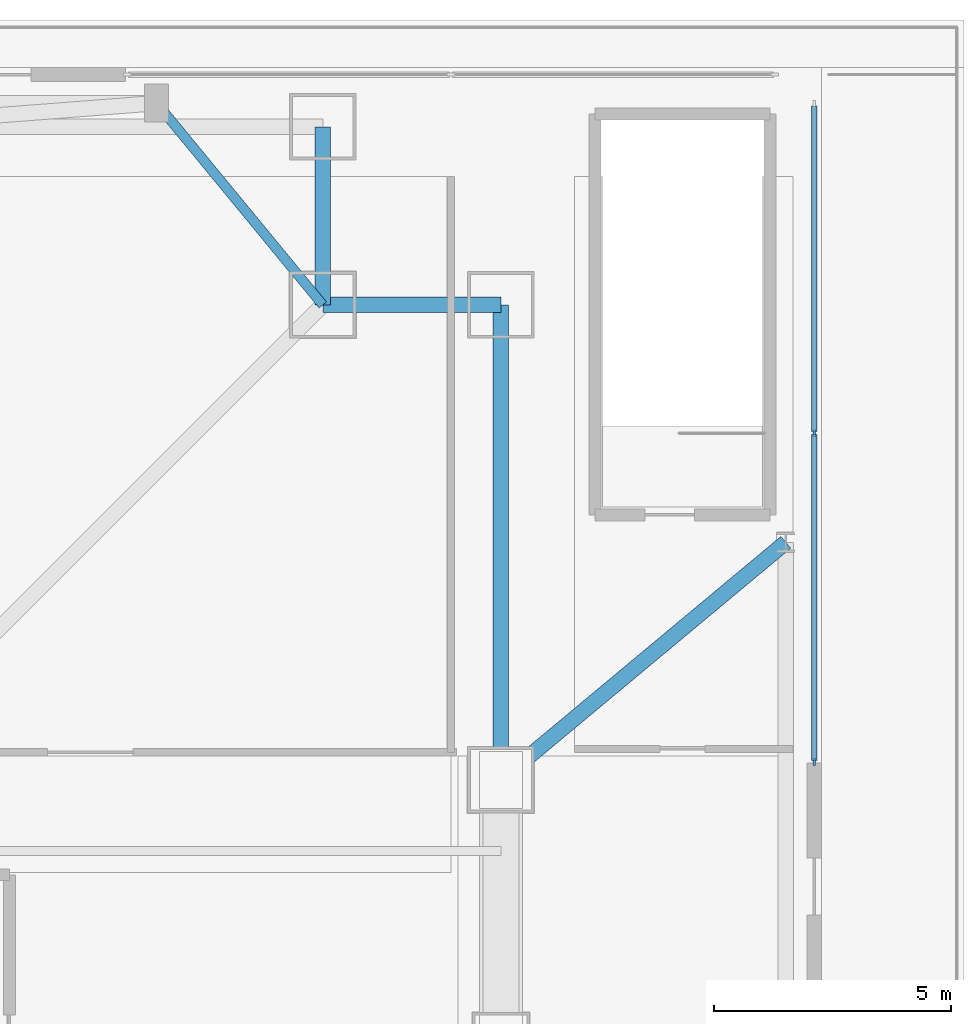
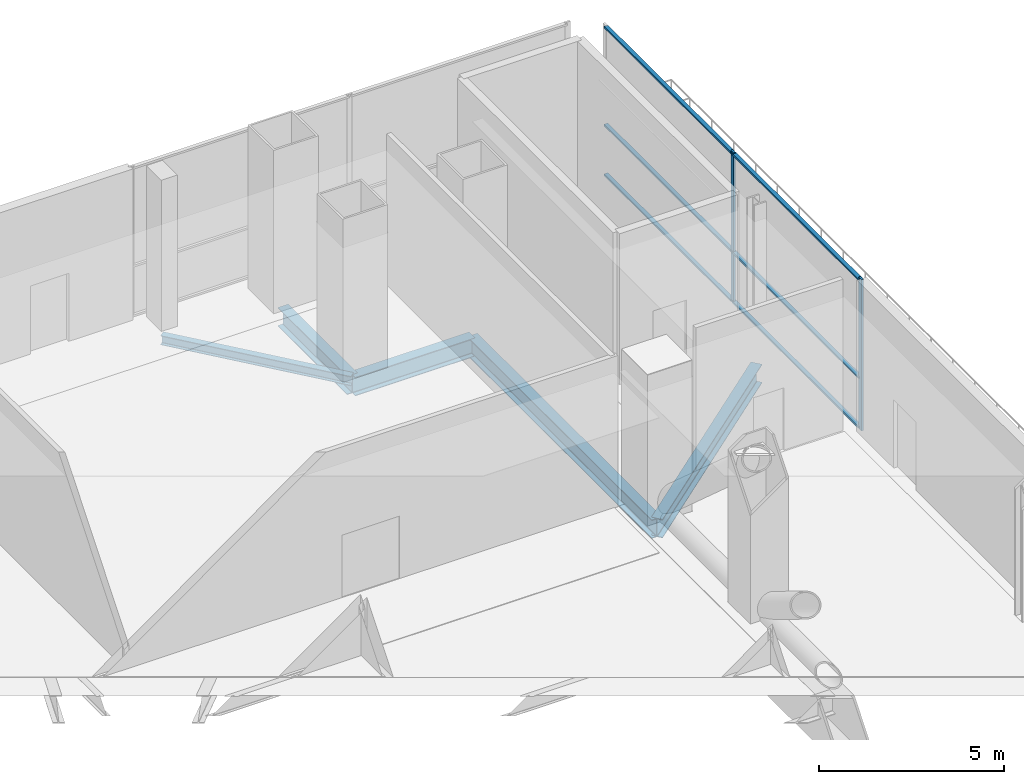
# One storey, part 10 of 21: 8 members, 5 beams, 1 element without a shape of its own.
"""IFC4 building model written with IfcOpenShell, lengths in metres."""

from ifc_helpers import new_model, si_unit, direction, frame, origin, origin_2d, place, context, subcontext, project, spatial, rectangle, i_section, extrude, material, layer, layer_set, material_profile, profile_set, type_object, element, aggregate, save


model = new_model("IFC4")

# Units and contexts
model_context = context("Model", 3, precision=1e-05, world=origin(), true_north=direction((0.0, 1.0)))
body_context = subcontext(model_context, "Body", "Model", "MODEL_VIEW")
ifc_project = project(units=[si_unit("LENGTHUNIT", "METRE"), si_unit("AREAUNIT", "SQUARE_METRE"), si_unit("VOLUMEUNIT", "CUBIC_METRE"), si_unit("PLANEANGLEUNIT", "RADIAN"), si_unit("MASSUNIT", "GRAM", prefix="KILO")], contexts=[model_context])

# Site, building, storey
site_placement = place(None, origin())
site = spatial("IfcSite", under=ifc_project, at=site_placement, CompositionType="ELEMENT")
building_placement = place(site_placement, origin())
building = spatial("IfcBuilding", under=site, at=building_placement, Name="Trevonay Congress Spire", CompositionType="ELEMENT")
storey_placement = place(building_placement, frame((0.0, 0.0, 21.60009765625)))
storey = spatial("IfcBuildingStorey", under=building, at=storey_placement, Name="L04", CompositionType="ELEMENT", Elevation=21.60009765625)

# Beams
ifc_material_1 = material(Name="Steel ASTM A572 Grade 50", Category="steel")
ifc_material_profile_1 = material_profile(ifc_material_1, i_section(OverallWidth=0.324951171875, OverallDepth=0.615966796875, WebThickness=0.013916015625, FlangeThickness=0.021484375, FilletRadius=0.01806640625, at=origin_2d()), Name="W610x174")
ifc_profile_set_1 = profile_set([ifc_material_profile_1], Name="Steel ASTM A572 Grade 50")
beam_type_1 = type_object("IfcBeamType", Name="BM-GIRD-W610X174", PredefinedType="BEAM", material=ifc_profile_set_1)
beam_1_placement = place(storey_placement, frame((19.5, 23.25, -0.7080078125), z_axis=(0.0, -1.0, 0.0), x_axis=(1.0, 0.0, 0.0)))
element("IfcBeam", 1, at=beam_1_placement, inside=storey, type_object=beam_type_1, Name="L04 structural beam BM-L04-CNE", PredefinedType="BEAM", context=body_context, shape_type="SweptSolid", body=[
    extrude(i_section(OverallWidth=0.324951171875, OverallDepth=0.615966796875, WebThickness=0.013916015625, FlangeThickness=0.021484375, FilletRadius=0.01806640625, at=origin_2d()), origin(), (0.0, 0.0, 1.0), 3.75),
])
beam_2_placement = place(storey_placement, frame((23.25, 9.5, -0.7080078125), z_axis=(0.0, 1.0, 0.0), x_axis=(-1.0, 0.0, 0.0)))
element("IfcBeam", 2, at=beam_2_placement, inside=storey, type_object=beam_type_1, Name="L04 structural beam BM-L04-ME3", PredefinedType="BEAM", context=body_context, shape_type="SweptSolid", body=[
    extrude(i_section(OverallWidth=0.324951171875, OverallDepth=0.615966796875, WebThickness=0.013916015625, FlangeThickness=0.021484375, FilletRadius=0.01806640625, at=origin_2d()), origin(), (0.0, 0.0, 1.0), 10.0),
])
beam_3_placement = place(storey_placement, frame((23.25, 19.5, -0.7080078125), z_axis=(-1.0, 0.0, 0.0), x_axis=(0.0, -1.0, 0.0)))
element("IfcBeam", 3, at=beam_3_placement, inside=storey, type_object=beam_type_1, Name="L04 structural beam BM-L04-CEN", PredefinedType="BEAM", context=body_context, shape_type="SweptSolid", body=[
    extrude(i_section(OverallWidth=0.324951171875, OverallDepth=0.615966796875, WebThickness=0.013916015625, FlangeThickness=0.021484375, FilletRadius=0.01806640625, at=origin_2d()), origin(), (0.0, 0.0, 1.0), 3.75),
])
beam_4_placement = place(storey_placement, frame((23.25, 9.5, -0.7080078125), z_axis=(0.768221279597, 0.640184399664, 0.0), x_axis=(-0.640184399664, 0.768221279597, 0.0)))
element("IfcBeam", 4, at=beam_4_placement, inside=storey, type_object=beam_type_1, Name="L04 structural beam BM-L04-POD-ET2", PredefinedType="BEAM", context=body_context, shape_type="SweptSolid", body=[
    extrude(i_section(OverallWidth=0.324951171875, OverallDepth=0.615966796875, WebThickness=0.013916015625, FlangeThickness=0.021484375, FilletRadius=0.01806640625, at=origin_2d()), origin(), (0.0, 0.0, 1.0), 7.810302734375),
])

# Curtain wall, members
ifc_material_2 = material(Name="Pale Anodised Aluminium EN AW-6063-T6", Category="aluminium")
ifc_layer = layer(ifc_material_2, 0.179931640625, Name="Pale Anodised Aluminium EN AW-6063-T6")
ifc_layer_set = layer_set([ifc_layer], Name="Pale Anodised Aluminium EN AW-6063-T6")
curtain_wall_type = type_object("IfcCurtainWallType", Name="CW-SYS01-PODIUM-PALE-METAL", PredefinedType="NOTDEFINED", material=ifc_layer_set)
curtain_wall_placement = place(storey_placement, origin())
curtain_wall = element("IfcCurtainWall", 5, at=curtain_wall_placement, inside=storey, type_object=curtain_wall_type, Name="L04 E2 podium curtain wall", PredefinedType="NOTDEFINED")
ifc_material_profile_2 = material_profile(ifc_material_2, rectangle(XDim=0.06005859375, YDim=0.159912109375, at=origin_2d()), Name="CW-MULLION-160-ALUMINIUM")
ifc_profile_set_2 = profile_set([ifc_material_profile_2], Name="Pale Anodised Aluminium EN AW-6063-T6")
member_type_1 = type_object("IfcMemberType", Name="CW-MULLION-160-ALUMINIUM", PredefinedType="MULLION", material=ifc_profile_set_2)
member_1_placement = place(storey_placement, frame((29.85009765625, 9.8798828125, 0.0), z_axis=(0.0, 0.0, 1.0), x_axis=(-1.0, 0.0, 0.0)))
member_1 = element("IfcMember", 6, at=member_1_placement, type_object=member_type_1, Name="CW01 mullion 1", PredefinedType="MULLION", context=body_context, shape_type="SweptSolid", body=[
    extrude(rectangle(XDim=0.06005859375, YDim=0.159912109375, at=origin_2d()), origin(), (0.0, 0.0, 1.0), 5.0),
])
member_2_placement = place(storey_placement, frame((29.85009765625, 16.800048828125, 0.0), z_axis=(0.0, 0.0, 1.0), x_axis=(-1.0, 0.0, 0.0)))
member_2 = element("IfcMember", 7, at=member_2_placement, type_object=member_type_1, Name="CW01 mullion 2", PredefinedType="MULLION", context=body_context, shape_type="SweptSolid", body=[
    extrude(rectangle(XDim=0.06005859375, YDim=0.159912109375, at=origin_2d()), origin(), (0.0, 0.0, 1.0), 5.0),
])
ifc_material_profile_3 = material_profile(ifc_material_2, rectangle(XDim=0.1201171875, YDim=0.06005859375, at=origin_2d()), Name="CW-TRANSOM-120-ALUMINIUM")
ifc_profile_set_3 = profile_set([ifc_material_profile_3], Name="Pale Anodised Aluminium EN AW-6063-T6")
member_type_2 = type_object("IfcMemberType", Name="CW-TRANSOM-120-ALUMINIUM", PredefinedType="USERDEFINED", material=ifc_profile_set_3)
member_3_placement = place(storey_placement, frame((29.85009765625, 9.909912109375, 0.059814453125), z_axis=(0.0, 1.0, 0.0), x_axis=(-1.0, 0.0, 0.0)))
member_3 = element("IfcMember", 8, at=member_3_placement, type_object=member_type_2, Name="CW01 transom 1.1", ObjectType="TRANSOM", PredefinedType="USERDEFINED", context=body_context, shape_type="SweptSolid", body=[
    extrude(rectangle(XDim=0.1201171875, YDim=0.06005859375, at=origin_2d()), origin(), (0.0, 0.0, 1.0), 6.860107421875),
])
member_4_placement = place(storey_placement, frame((29.85009765625, 9.909912109375, 1.699951171875), z_axis=(0.0, 1.0, 0.0), x_axis=(-1.0, 0.0, 0.0)))
member_4 = element("IfcMember", 9, at=member_4_placement, type_object=member_type_2, Name="CW01 transom 1.2", ObjectType="TRANSOM", PredefinedType="USERDEFINED", context=body_context, shape_type="SweptSolid", body=[
    extrude(rectangle(XDim=0.1201171875, YDim=0.06005859375, at=origin_2d()), origin(), (0.0, 0.0, 1.0), 6.860107421875),
])
member_5_placement = place(storey_placement, frame((29.85009765625, 9.909912109375, 4.93994140625), z_axis=(0.0, 1.0, 0.0), x_axis=(-1.0, 0.0, 0.0)))
member_5 = element("IfcMember", 10, at=member_5_placement, type_object=member_type_2, Name="CW01 transom 1.3", ObjectType="TRANSOM", PredefinedType="USERDEFINED", context=body_context, shape_type="SweptSolid", body=[
    extrude(rectangle(XDim=0.1201171875, YDim=0.06005859375, at=origin_2d()), origin(), (0.0, 0.0, 1.0), 6.860107421875),
])
member_6_placement = place(storey_placement, frame((29.85009765625, 16.830078125, 0.059814453125), z_axis=(0.0, 1.0, 0.0), x_axis=(-1.0, 0.0, 0.0)))
member_6 = element("IfcMember", 11, at=member_6_placement, type_object=member_type_2, Name="CW01 transom 2.1", ObjectType="TRANSOM", PredefinedType="USERDEFINED", context=body_context, shape_type="SweptSolid", body=[
    extrude(rectangle(XDim=0.1201171875, YDim=0.06005859375, at=origin_2d()), origin(), (0.0, 0.0, 1.0), 6.85986328125),
])
member_7_placement = place(storey_placement, frame((29.85009765625, 16.830078125, 1.699951171875), z_axis=(0.0, 1.0, 0.0), x_axis=(-1.0, 0.0, 0.0)))
member_7 = element("IfcMember", 12, at=member_7_placement, type_object=member_type_2, Name="CW01 transom 2.2", ObjectType="TRANSOM", PredefinedType="USERDEFINED", context=body_context, shape_type="SweptSolid", body=[
    extrude(rectangle(XDim=0.1201171875, YDim=0.06005859375, at=origin_2d()), origin(), (0.0, 0.0, 1.0), 6.85986328125),
])
member_8_placement = place(storey_placement, frame((29.85009765625, 16.830078125, 4.93994140625), z_axis=(0.0, 1.0, 0.0), x_axis=(-1.0, 0.0, 0.0)))
member_8 = element("IfcMember", 13, at=member_8_placement, type_object=member_type_2, Name="CW01 transom 2.3", ObjectType="TRANSOM", PredefinedType="USERDEFINED", context=body_context, shape_type="SweptSolid", body=[
    extrude(rectangle(XDim=0.1201171875, YDim=0.06005859375, at=origin_2d()), origin(), (0.0, 0.0, 1.0), 6.85986328125),
])
aggregate(curtain_wall, [member_1, member_2, member_3, member_4, member_5, member_6, member_7, member_8])

# Beam
ifc_material_profile_4 = material_profile(ifc_material_1, i_section(OverallWidth=0.2041015625, OverallDepth=0.305908203125, WebThickness=0.008544921875, FlangeThickness=0.0146484375, FilletRadius=0.010986328125, at=origin_2d()), Name="W310x67")
ifc_profile_set_4 = profile_set([ifc_material_profile_4], Name="Steel ASTM A572 Grade 50")
beam_type_2 = type_object("IfcBeamType", Name="SPB-W310X67", PredefinedType="SPANDREL", material=ifc_profile_set_4)
beam_5_placement = place(storey_placement, frame((16.0, 23.75, -0.552978515625), z_axis=(0.635707252861, -0.771930235617, 0.0), x_axis=(0.771930235617, 0.635707252861, 0.0)))
element("IfcBeam", 14, at=beam_5_placement, inside=storey, type_object=beam_type_2, Name="L04 structural beam SPB-L04-NE", PredefinedType="SPANDREL", context=body_context, shape_type="SweptSolid", body=[
    extrude(i_section(OverallWidth=0.2041015625, OverallDepth=0.305908203125, WebThickness=0.008544921875, FlangeThickness=0.0146484375, FilletRadius=0.010986328125, at=origin_2d()), origin(), (0.0, 0.0, 1.0), 5.505615234375),
])

save(model, "model.ifc")
